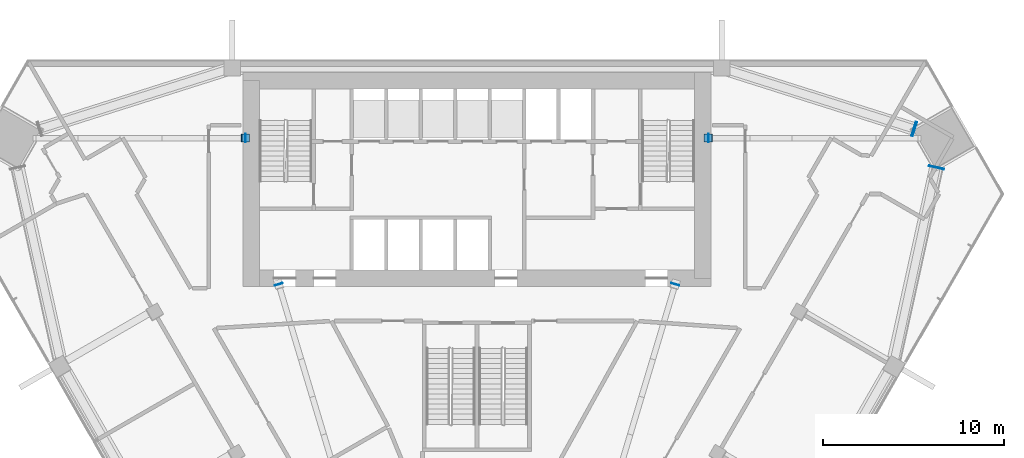
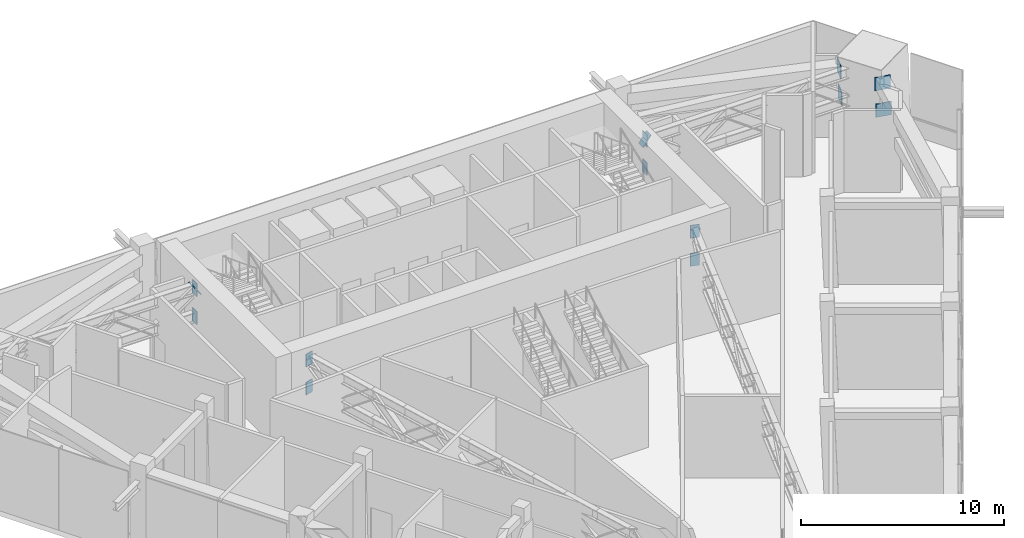
# One storey, part 13 of 15: 14 discrete accessories.
"""IFC4 building model written with IfcOpenShell, lengths in metres."""

from ifc_helpers import new_model, si_unit, direction, frame, origin, origin_2d, place, context, subcontext, project, spatial, rectangle, extrude, material, material_profile, profile_set, type_object, element, save


model = new_model("IFC4")

# Units and contexts
model_context = context("Model", 3, precision=1e-05, world=origin(), true_north=direction((0.0, 1.0)))
body_context = subcontext(model_context, "Body", "Model", "MODEL_VIEW")
ifc_project = project(units=[si_unit("LENGTHUNIT", "METRE"), si_unit("AREAUNIT", "SQUARE_METRE"), si_unit("VOLUMEUNIT", "CUBIC_METRE"), si_unit("PLANEANGLEUNIT", "RADIAN"), si_unit("MASSUNIT", "GRAM", prefix="KILO")], contexts=[model_context])

# Site, building, storey
site_placement = place(None, origin())
site = spatial("IfcSite", under=ifc_project, at=site_placement, CompositionType="ELEMENT")
building_placement = place(site_placement, origin())
building = spatial("IfcBuilding", under=site, at=building_placement, Name="Altiplano Prism Tower", CompositionType="ELEMENT")
storey_placement = place(building_placement, frame((0.0, 0.0, 95.39990234375)))
storey = spatial("IfcBuildingStorey", under=building, at=storey_placement, Name="L24", CompositionType="ELEMENT", Elevation=95.39990234375)

# Discrete accessories
ifc_material = material(Name="Steel S355", Category="steel")
ifc_material_profile_1 = material_profile(ifc_material, rectangle(XDim=0.449951171875, YDim=0.75, at=origin_2d()), Name="Cast-in plate 450x750x40")
ifc_profile_set_1 = profile_set([ifc_material_profile_1], Name="Steel S355")
discrete_accessory_type_1 = type_object("IfcDiscreteAccessoryType", Name="Cast-in plate 450x750x40", PredefinedType="ANCHORPLATE", material=ifc_profile_set_1)
for number, where, z_axis, x_axis, name in (
    (1, (72.25, 100.687744140625, 4.590087890625), (-0.810839958558, 0.0, -0.585267940012), (0.0, -1.0, 0.0), "Cast-in plate Outrigger truss R1 1 diagonal 5 end 2"),
    (2, (97.75, 100.687744140625, 4.590087890625), (0.810839958558, 0.0, -0.585267940012), (0.0, 1.0, 0.0), "Cast-in plate Outrigger truss R1 2 diagonal 5 end 2"),
):
    element("IfcDiscreteAccessory", number, at=place(storey_placement, frame(where, z_axis=z_axis, x_axis=x_axis)), inside=storey, type_object=discrete_accessory_type_1, Name=name, PredefinedType="ANCHORPLATE", context=body_context, shape_type="SweptSolid", body=[
        extrude(rectangle(XDim=0.449951171875, YDim=0.75, at=origin_2d()), origin(), (0.0, 0.0, 1.0), 0.0400390625),
    ])
ifc_material_profile_2 = material_profile(ifc_material, rectangle(XDim=0.455078125, YDim=0.77001953125, at=origin_2d()), Name="Cast-in plate 455x770x40")
ifc_profile_set_2 = profile_set([ifc_material_profile_2], Name="Steel S355")
discrete_accessory_type_2 = type_object("IfcDiscreteAccessoryType", Name="Cast-in plate 455x770x40", PredefinedType="ANCHORPLATE", material=ifc_profile_set_2)
for number, where, z_axis, x_axis, name in (
    (3, (72.25, 100.687744140625, 2.91015625), (-1.0, 0.0, 0.0), (0.0, -1.0, 0.0), "Cast-in plate Outrigger truss R1 1 chord b5 end 2"),
    (4, (72.25, 100.687744140625, 4.590087890625), (-1.0, 0.0, 0.0), (0.0, -1.0, 0.0), "Cast-in plate Outrigger truss R1 1 chord t5 end 2"),
    (5, (97.75, 100.687744140625, 2.91015625), (1.0, 0.0, 0.0), (0.0, 1.0, 0.0), "Cast-in plate Outrigger truss R1 2 chord b5 end 2"),
    (6, (97.75, 100.687744140625, 4.590087890625), (1.0, 0.0, 0.0), (0.0, 1.0, 0.0), "Cast-in plate Outrigger truss R1 2 chord t5 end 2"),
):
    element("IfcDiscreteAccessory", number, at=place(storey_placement, frame(where, z_axis=z_axis, x_axis=x_axis)), inside=storey, type_object=discrete_accessory_type_2, Name=name, PredefinedType="ANCHORPLATE", context=body_context, shape_type="SweptSolid", body=[
        extrude(rectangle(XDim=0.455078125, YDim=0.77001953125, at=origin_2d()), origin(), (0.0, 0.0, 1.0), 0.0400390625),
    ])
for number, where, z_axis, x_axis, name in (
    (7, (74.056884765625, 92.6435546875, 2.91015625), (0.288473878152, -0.957487765783, 0.0), (0.957487765783, 0.288473878152, 0.0), "Cast-in plate Outrigger truss R1 3 chord b17 end 2"),
    (8, (74.056884765625, 92.6435546875, 4.590087890625), (0.288473878152, -0.957487765783, 0.0), (0.957487765783, 0.288473878152, 0.0), "Cast-in plate Outrigger truss R1 3 chord t17 end 2"),
    (9, (95.943115234375, 92.6435546875, 2.91015625), (-0.288473878152, -0.957487765783, 0.0), (0.957487765783, -0.288473878152, 0.0), "Cast-in plate Outrigger truss R1 4 chord b17 end 2"),
    (10, (95.943115234375, 92.6435546875, 4.590087890625), (-0.288473878152, -0.957487765783, 0.0), (0.957487765783, -0.288473878152, 0.0), "Cast-in plate Outrigger truss R1 4 chord t17 end 2"),
):
    element("IfcDiscreteAccessory", number, at=place(storey_placement, frame(where, z_axis=z_axis, x_axis=x_axis)), inside=storey, type_object=discrete_accessory_type_2, Name=name, PredefinedType="ANCHORPLATE", context=body_context, shape_type="SweptSolid", body=[
        extrude(rectangle(XDim=0.455078125, YDim=0.77001953125, at=origin_2d()), origin(), (0.0, 0.0, 1.0), 0.039794921875),
    ])
ifc_material_profile_3 = material_profile(ifc_material, rectangle(XDim=0.800048828125, YDim=0.800048828125, at=origin_2d()), Name="Truss end plate 800x800x40")
ifc_profile_set_3 = profile_set([ifc_material_profile_3], Name="Steel S355")
discrete_accessory_type_3 = type_object("IfcDiscreteAccessoryType", Name="Truss end plate 800x800x40", PredefinedType="ANCHORPLATE", material=ifc_profile_set_3)
for number, where, z_axis, x_axis, name in (
    (11, (110.367431640625, 99.07763671875, 2.9501953125), (-0.213696878805, -0.976900017396, 0.0), (0.976900017396, -0.213696878805, 0.0), "Truss end plate Belt truss R1 chord b1 end 2"),
    (12, (110.32177734375, 99.092529296875, 4.550048828125), (-0.213696878805, -0.976900017396, 0.0), (0.976900017396, -0.213696878805, 0.0), "Truss end plate Belt truss R1 chord t1 end 2"),
    (13, (109.156005859375, 101.17578125, 2.9501953125), (-0.952282288042, 0.305218682065, 0.0), (-0.305218682065, -0.952282288042, 0.0), "Truss end plate Belt truss R1 chord b2 end 1"),
    (14, (109.110595703125, 101.190673828125, 4.550048828125), (-0.954588103487, 0.297928771152, 0.0), (-0.297928771152, -0.954588103487, 0.0), "Truss end plate Belt truss R1 chord t2 end 1"),
):
    element("IfcDiscreteAccessory", number, at=place(storey_placement, frame(where, z_axis=z_axis, x_axis=x_axis)), inside=storey, type_object=discrete_accessory_type_3, Name=name, PredefinedType="ANCHORPLATE", context=body_context, shape_type="SweptSolid", body=[
        extrude(rectangle(XDim=0.800048828125, YDim=0.800048828125, at=origin_2d()), origin(), (0.0, 0.0, 1.0), 0.0400390625),
    ])

save(model, "model.ifc")
